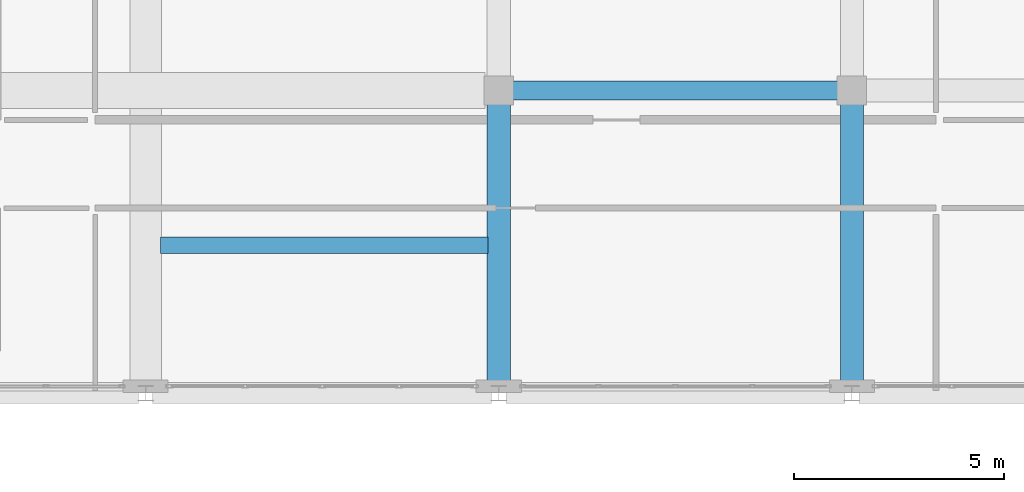
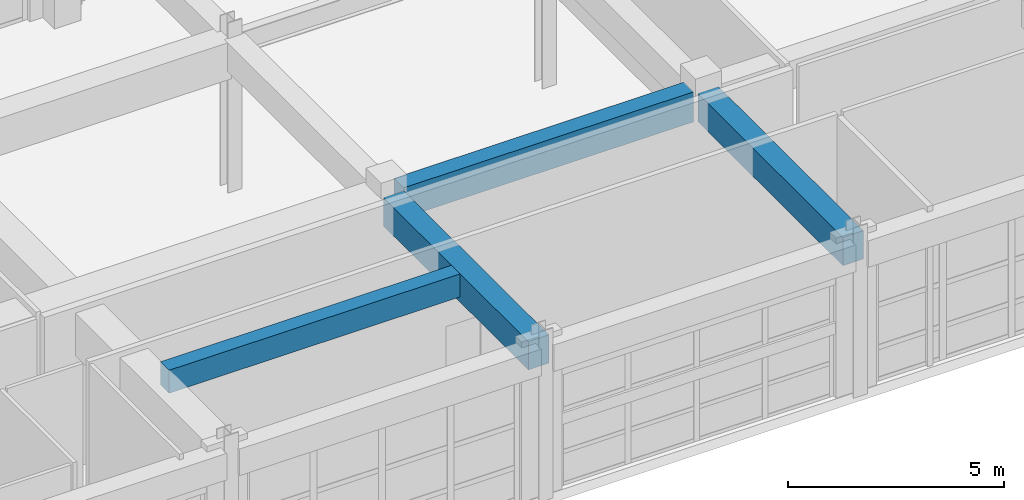
# One storey, part 76 of 123: 4 beams.
"""IFC4 building model written with IfcOpenShell, lengths in metres."""

import ifcopenshell
import ifcopenshell.guid

model = None  # the IFC model being written
_history = None  # IfcOwnerHistory: only IFC2X3 demands one
_inside = {}  # id of a spatial element -> (the spatial element, [elements in it])
_under = {}  # id of a project, library or spatial element -> (it, [spatial elements below it])
_declared = {}  # id of a project -> (the project, [libraries it declares])
_typed = {}  # id of a type object -> (the type object, [elements of that type])
_made_of = {}  # id of a material, layer set ... -> (it, [elements and type objects made of it])


def new_model(schema):
    """Start an empty IFC model of exactly this schema.

    Asked for "IFC4X3", IfcOpenShell would pick the latest addendum, in which some entities
    have other attributes; the version numbers below select the first issue.
    IFC2X3 requires an IfcOwnerHistory on every rooted entity: one is made here for all.
    """
    global model, _history
    if schema == "IFC4X3":
        model = ifcopenshell.file(schema_version=(4, 3, 0, 0))
    else:
        model = ifcopenshell.file(schema=schema)
    _inside.clear()
    _under.clear()
    _declared.clear()
    _typed.clear()
    _made_of.clear()
    _history = None
    if model.schema == "IFC2X3":
        org = make("IfcOrganization", Name="unknown")
        user = make(
            "IfcPersonAndOrganization",
            ThePerson=make("IfcPerson", FamilyName="unknown"),
            TheOrganization=org,
        )
        app = make(
            "IfcApplication",
            ApplicationDeveloper=org,
            Version="unknown",
            ApplicationFullName="unknown",
            ApplicationIdentifier="unknown",
        )
        _history = make(
            "IfcOwnerHistory",
            OwningUser=user,
            OwningApplication=app,
            ChangeAction="ADDED",
            CreationDate=0,
        )
    return model


def make(cls, **values):
    """One entity of the class cls with the attributes given. An attribute that is None is left unset."""
    return model.create_entity(
        cls, **{name: value for name, value in values.items() if value is not None}
    )


def rooted(cls, **values):
    """An entity with a GlobalId (a new one), such as an element, a storey or a relation."""
    return make(cls, GlobalId=ifcopenshell.guid.new(), OwnerHistory=_history, **values)


def si_unit(unit_type, name, prefix=None):
    """IfcSIUnit, for example si_unit("LENGTHUNIT", "METRE", prefix="MILLI")."""
    return make("IfcSIUnit", UnitType=unit_type, Prefix=prefix, Name=name)


def assignment(units):
    """IfcUnitAssignment: the units of a project."""
    return None if units is None else make("IfcUnitAssignment", Units=units)


def point(xyz):
    """IfcCartesianPoint."""
    return None if xyz is None else make("IfcCartesianPoint", Coordinates=xyz)


def direction(xyz):
    """IfcDirection."""
    return None if xyz is None else make("IfcDirection", DirectionRatios=xyz)


def frame(location, z_axis=None, x_axis=None):
    """IfcAxis2Placement3D, a coordinate frame: its origin and axes. An axis left out is left unset."""
    return make(
        "IfcAxis2Placement3D",
        Location=point(location),
        Axis=direction(z_axis),
        RefDirection=direction(x_axis),
    )


def frame_2d(location, x_axis=None):
    """IfcAxis2Placement2D, a coordinate frame in the plane: its origin and x axis."""
    return make(
        "IfcAxis2Placement2D", Location=point(location), RefDirection=direction(x_axis)
    )


def origin():
    """The frame at (0, 0, 0) with its axes left unset."""
    return frame((0.0, 0.0, 0.0))


def origin_2d():
    """The frame at (0, 0) in the plane with its x axis left unset."""
    return frame_2d((0.0, 0.0))


def place(relative_to, where):
    """IfcLocalPlacement: puts the frame where relative to a parent placement (None: the world)."""
    return make(
        "IfcLocalPlacement", PlacementRelTo=relative_to, RelativePlacement=where
    )


def context(
    kind, dimensions, precision=None, world=None, true_north=None, identifier=None
):
    """IfcGeometricRepresentationContext, for example the 3D "Model" context."""
    return make(
        "IfcGeometricRepresentationContext",
        ContextIdentifier=identifier,
        ContextType=kind,
        CoordinateSpaceDimension=dimensions,
        Precision=precision,
        WorldCoordinateSystem=world,
        TrueNorth=true_north,
    )


def subcontext(parent, identifier, kind, view, scale=None):
    """IfcGeometricRepresentationSubContext, for example "Body" below "Model"."""
    return make(
        "IfcGeometricRepresentationSubContext",
        ContextIdentifier=identifier,
        ContextType=kind,
        ParentContext=parent,
        TargetScale=scale,
        TargetView=view,
    )


def project(units=None, contexts=None):
    """IfcProject with its units and contexts."""
    return rooted(
        "IfcProject",
        Name="project",
        RepresentationContexts=contexts,
        UnitsInContext=assignment(units),
    )


def spatial(cls, under=None, at=None, **own):
    """A site, building, storey or space (cls), placed at a placement, below another one or the project."""
    s = rooted(cls, ObjectPlacement=at, **own)
    if under is not None:
        _under.setdefault(under.id(), (under, []))[1].append(s)
    return s


def profile(cls, at=None, kind="AREA", **sizes):
    """A parametric profile (cls). Its sizes go by their IFC names, for example OverallWidth=200.0."""
    return make(cls, ProfileType=kind, Position=at, **sizes)


def rectangle(**sizes):
    """IfcRectangleProfileDef."""
    return profile("IfcRectangleProfileDef", **sizes)


def extrude(swept, where, along, depth):
    """IfcExtrudedAreaSolid: the profile swept, set in the frame where, extruded along a direction by depth."""
    return make(
        "IfcExtrudedAreaSolid",
        SweptArea=swept,
        Position=where,
        ExtrudedDirection=direction(along),
        Depth=depth,
    )


def shape(context_of_items, identifier, shape_type, items):
    """IfcShapeRepresentation: the items that make up one representation, for example the "Body"."""
    return make(
        "IfcShapeRepresentation",
        ContextOfItems=context_of_items,
        RepresentationIdentifier=identifier,
        RepresentationType=shape_type,
        Items=items,
    )


def material(Name=None, Category=None):
    """IfcMaterial."""
    return make("IfcMaterial", Name=Name, Category=Category)


def material_profile(
    of_material, cross_section, Name=None, Category=None, Priority=None
):
    """IfcMaterialProfile: a cross section and its material."""
    return make(
        "IfcMaterialProfile",
        Name=Name,
        Material=of_material,
        Profile=cross_section,
        Priority=Priority,
        Category=Category,
    )


def profile_set(profiles, Name=None, composite=None):
    """IfcMaterialProfileSet."""
    return make(
        "IfcMaterialProfileSet",
        Name=Name,
        MaterialProfiles=profiles,
        CompositeProfile=composite,
    )


def made_of(thing, what):
    """Note that an element or type object is made of a material, layer set ...; save() writes the relation."""
    if what is not None:
        _made_of.setdefault(what.id(), (what, []))[1].append(thing)
    return thing


def type_object(cls, material=None, **own):
    """A type object (cls), such as IfcWallType, which elements share."""
    return made_of(rooted(cls, **own), material)


def element(
    cls,
    number,
    at=None,
    inside=None,
    cuts=None,
    type_object=None,
    material=None,
    context=None,
    identifier="Body",
    shape_type=None,
    held_by="IfcProductDefinitionShape",
    body=None,
    shapes=None,
    **own,
):
    """One element of the class cls, such as IfcWall. Its Tag is "e" and its number.

    at: its placement. inside: the storey or other place that contains it. cuts: it is an
    opening in that element (IfcRelVoidsElement). A single representation is given by context,
    identifier, shape_type and body (its items); several are given by shapes. held_by: the class
    of the entity that holds the representations. save() writes the other relations.
    """
    e = rooted(cls, Tag="e%d" % number, ObjectPlacement=at, **own)
    if body is not None:
        shapes = [shape(context, identifier, shape_type, body)]
    if shapes is not None:
        e.Representation = make(held_by, Representations=shapes)
    if inside is not None:
        _inside.setdefault(inside.id(), (inside, []))[1].append(e)
    if cuts is not None:
        rooted(
            "IfcRelVoidsElement", RelatingBuildingElement=cuts, RelatedOpeningElement=e
        )
    if type_object is not None:
        _typed.setdefault(type_object.id(), (type_object, []))[1].append(e)
    return made_of(e, material)


def aggregate(whole, parts):
    """IfcRelAggregates: a whole, such as a stair, and the parts it consists of."""
    return rooted("IfcRelAggregates", RelatingObject=whole, RelatedObjects=parts)


def save(model, path):
    """Write the relations noted so far, then the file.

    IfcRelAggregates (storeys below a building ...), IfcRelContainedInSpatialStructure (elements
    in a storey), IfcRelDefinesByType, IfcRelAssociatesMaterial and IfcRelDeclares: one each for
    every whole, place, type object, material and project.
    """
    for whole, parts in _under.values():
        aggregate(whole, parts)
    for where, things in _inside.values():
        rooted(
            "IfcRelContainedInSpatialStructure",
            RelatedElements=things,
            RelatingStructure=where,
        )
    for kind, things in _typed.values():
        rooted("IfcRelDefinesByType", RelatedObjects=things, RelatingType=kind)
    for what, things in _made_of.values():
        rooted("IfcRelAssociatesMaterial", RelatedObjects=things, RelatingMaterial=what)
    for by, libraries in _declared.values():
        rooted("IfcRelDeclares", RelatingContext=by, RelatedDefinitions=libraries)
    model.write(path)


model = new_model("IFC4")

# Units and contexts
model_context = context("Model", 3, precision=1e-05, world=origin(), true_north=direction((0.0, 1.0)))
body_context = subcontext(model_context, "Body", "Model", "MODEL_VIEW")
ifc_project = project(units=[si_unit("LENGTHUNIT", "METRE"), si_unit("AREAUNIT", "SQUARE_METRE"), si_unit("VOLUMEUNIT", "CUBIC_METRE"), si_unit("PLANEANGLEUNIT", "RADIAN"), si_unit("MASSUNIT", "GRAM", prefix="KILO")], contexts=[model_context])

# Site, building, storey
site_placement = place(None, origin())
site = spatial("IfcSite", under=ifc_project, at=site_placement, CompositionType="ELEMENT")
building_placement = place(site_placement, origin())
building = spatial("IfcBuilding", under=site, at=building_placement, Name="Quendrovan Civic Courthouse", CompositionType="ELEMENT")
storey_placement = place(building_placement, frame((0.0, 0.0, 5.39990234375)))
storey = spatial("IfcBuildingStorey", under=building, at=storey_placement, Name="L02", CompositionType="ELEMENT", Elevation=5.39990234375)

# Beams
ifc_material_1 = material(Name="Concrete C40/50", Category="concrete")
ifc_material_profile_1 = material_profile(ifc_material_1, rectangle(XDim=0.39990234375, YDim=0.64990234375, at=origin_2d()), Name="RC-BM-400x650")
ifc_profile_set_1 = profile_set([ifc_material_profile_1], Name="Concrete C40/50")
beam_type_1 = type_object("IfcBeamType", Name="BM-RC650", PredefinedType="JOIST", material=ifc_profile_set_1)
beam_1_placement = place(storey_placement, frame((126.35498046875, 91.117919921875, 4.03515625), z_axis=(1.0, 0.0, 0.0), x_axis=(0.0, 1.0, 0.0)))
element("IfcBeam", 1, at=beam_1_placement, inside=storey, type_object=beam_type_1, Name="L02 Secondary Joist 0713", PredefinedType="JOIST", context=body_context, shape_type="SweptSolid", body=[
    extrude(rectangle(XDim=0.39990234375, YDim=0.64990234375, at=origin_2d()), origin(), (0.0, 0.0, 1.0), 7.7900390625),
])
ifc_material_profile_2 = material_profile(ifc_material_1, rectangle(XDim=0.550048828125, YDim=0.800048828125, at=origin_2d()), Name="RC-BM-550x800")
ifc_profile_set_2 = profile_set([ifc_material_profile_2], Name="Concrete C40/50")
beam_type_2 = type_object("IfcBeamType", Name="BM-RC800", PredefinedType="BEAM", material=ifc_profile_set_2)
for number, where, z_axis, x_axis, name in (
    (2, (134.39990234375, 87.76611328125, 3.960205078125), (0.0, 1.0, 0.0), (-1.0, 0.0, 0.0), "L02 Girder Y0699"),
    (3, (142.800048828125, 87.76611328125, 3.960205078125), (0.0, 1.0, 0.0), (-1.0, 0.0, 0.0), "L02 Girder Y0702"),
):
    element("IfcBeam", number, at=place(storey_placement, frame(where, z_axis=z_axis, x_axis=x_axis)), inside=storey, type_object=beam_type_2, Name=name, PredefinedType="BEAM", context=body_context, shape_type="SweptSolid", body=[
        extrude(rectangle(XDim=0.550048828125, YDim=0.800048828125, at=origin_2d()), origin(), (0.0, 0.0, 1.0), 6.703857421875),
    ])
ifc_material_2 = material(Name="Concrete C45/55", Category="concrete")
ifc_material_profile_3 = material_profile(ifc_material_2, rectangle(XDim=0.449951171875, YDim=0.85009765625, at=origin_2d()), Name="RC-BM-450x850")
ifc_profile_set_3 = profile_set([ifc_material_profile_3], Name="Concrete C45/55")
beam_type_3 = type_object("IfcBeamType", Name="BM-RC850", PredefinedType="BEAM", material=ifc_profile_set_3)
beam_2_placement = place(storey_placement, frame((134.72998046875, 94.800048828125, 3.93505859375), z_axis=(1.0, 0.0, 0.0), x_axis=(0.0, 1.0, 0.0)))
element("IfcBeam", 4, at=beam_2_placement, inside=storey, type_object=beam_type_3, Name="L02 Girder X0572", PredefinedType="BEAM", context=body_context, shape_type="SweptSolid", body=[
    extrude(rectangle(XDim=0.449951171875, YDim=0.85009765625, at=origin_2d()), origin(), (0.0, 0.0, 1.0), 7.739990234375),
])

save(model, "model.ifc")
